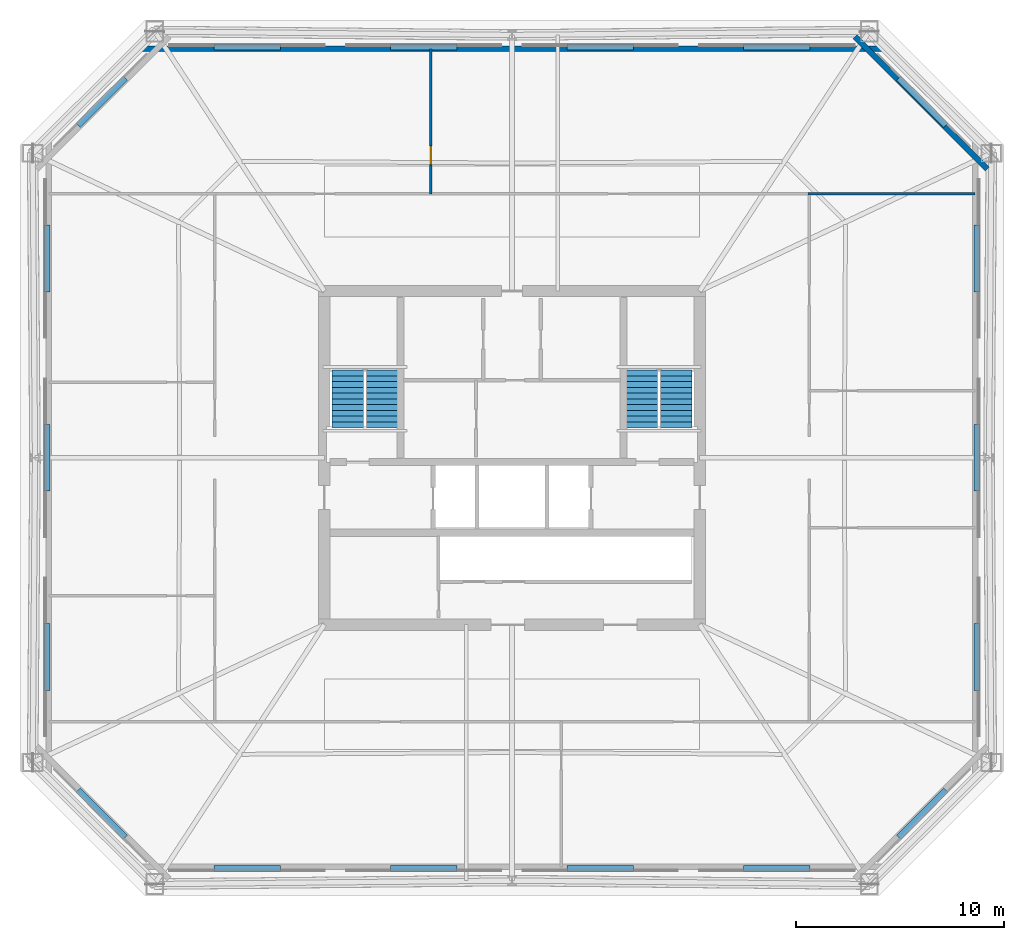
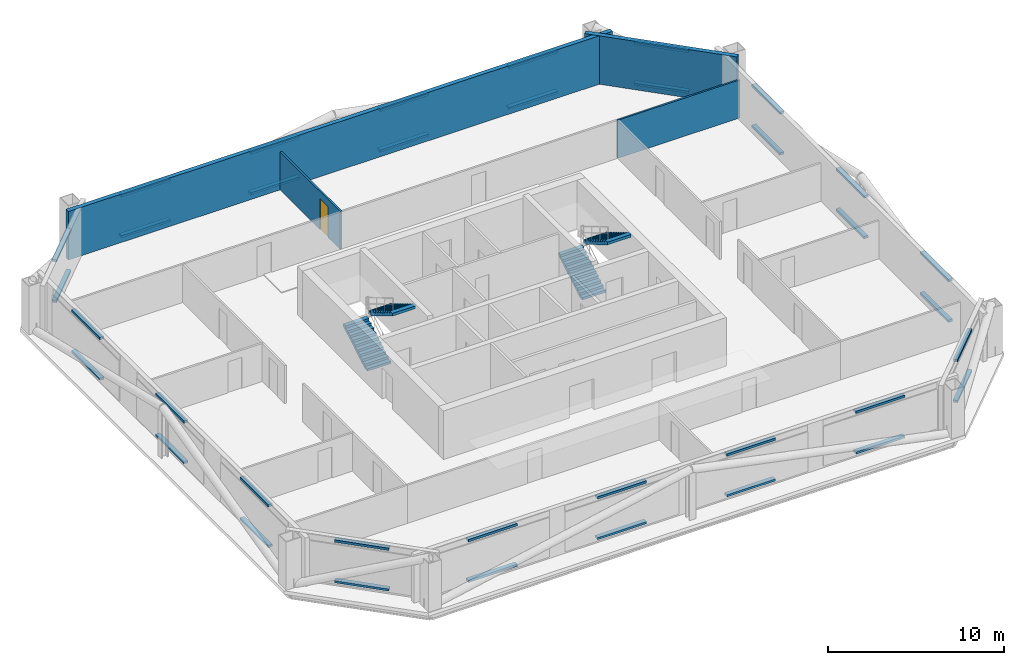
# One storey, part 4 of 6: 36 discrete accessories, 4 stair flights, 4 walls, 1 door, 1 opening, 2 elements without a shape of their own.
"""IFC4 building model written with IfcOpenShell, lengths in metres."""

import ifcopenshell
import ifcopenshell.guid

model = None  # the IFC model being written
_history = None  # IfcOwnerHistory: only IFC2X3 demands one
_inside = {}  # id of a spatial element -> (the spatial element, [elements in it])
_under = {}  # id of a project, library or spatial element -> (it, [spatial elements below it])
_declared = {}  # id of a project -> (the project, [libraries it declares])
_typed = {}  # id of a type object -> (the type object, [elements of that type])
_made_of = {}  # id of a material, layer set ... -> (it, [elements and type objects made of it])


def new_model(schema):
    """Start an empty IFC model of exactly this schema.

    Asked for "IFC4X3", IfcOpenShell would pick the latest addendum, in which some entities
    have other attributes; the version numbers below select the first issue.
    IFC2X3 requires an IfcOwnerHistory on every rooted entity: one is made here for all.
    """
    global model, _history
    if schema == "IFC4X3":
        model = ifcopenshell.file(schema_version=(4, 3, 0, 0))
    else:
        model = ifcopenshell.file(schema=schema)
    _inside.clear()
    _under.clear()
    _declared.clear()
    _typed.clear()
    _made_of.clear()
    _history = None
    if model.schema == "IFC2X3":
        org = make("IfcOrganization", Name="unknown")
        user = make(
            "IfcPersonAndOrganization",
            ThePerson=make("IfcPerson", FamilyName="unknown"),
            TheOrganization=org,
        )
        app = make(
            "IfcApplication",
            ApplicationDeveloper=org,
            Version="unknown",
            ApplicationFullName="unknown",
            ApplicationIdentifier="unknown",
        )
        _history = make(
            "IfcOwnerHistory",
            OwningUser=user,
            OwningApplication=app,
            ChangeAction="ADDED",
            CreationDate=0,
        )
    return model


def make(cls, **values):
    """One entity of the class cls with the attributes given. An attribute that is None is left unset."""
    return model.create_entity(
        cls, **{name: value for name, value in values.items() if value is not None}
    )


def rooted(cls, **values):
    """An entity with a GlobalId (a new one), such as an element, a storey or a relation."""
    return make(cls, GlobalId=ifcopenshell.guid.new(), OwnerHistory=_history, **values)


def si_unit(unit_type, name, prefix=None):
    """IfcSIUnit, for example si_unit("LENGTHUNIT", "METRE", prefix="MILLI")."""
    return make("IfcSIUnit", UnitType=unit_type, Prefix=prefix, Name=name)


def assignment(units):
    """IfcUnitAssignment: the units of a project."""
    return None if units is None else make("IfcUnitAssignment", Units=units)


def point(xyz):
    """IfcCartesianPoint."""
    return None if xyz is None else make("IfcCartesianPoint", Coordinates=xyz)


def direction(xyz):
    """IfcDirection."""
    return None if xyz is None else make("IfcDirection", DirectionRatios=xyz)


def frame(location, z_axis=None, x_axis=None):
    """IfcAxis2Placement3D, a coordinate frame: its origin and axes. An axis left out is left unset."""
    return make(
        "IfcAxis2Placement3D",
        Location=point(location),
        Axis=direction(z_axis),
        RefDirection=direction(x_axis),
    )


def frame_2d(location, x_axis=None):
    """IfcAxis2Placement2D, a coordinate frame in the plane: its origin and x axis."""
    return make(
        "IfcAxis2Placement2D", Location=point(location), RefDirection=direction(x_axis)
    )


def origin():
    """The frame at (0, 0, 0) with its axes left unset."""
    return frame((0.0, 0.0, 0.0))


def origin_2d():
    """The frame at (0, 0) in the plane with its x axis left unset."""
    return frame_2d((0.0, 0.0))


def place(relative_to, where):
    """IfcLocalPlacement: puts the frame where relative to a parent placement (None: the world)."""
    return make(
        "IfcLocalPlacement", PlacementRelTo=relative_to, RelativePlacement=where
    )


def context(
    kind, dimensions, precision=None, world=None, true_north=None, identifier=None
):
    """IfcGeometricRepresentationContext, for example the 3D "Model" context."""
    return make(
        "IfcGeometricRepresentationContext",
        ContextIdentifier=identifier,
        ContextType=kind,
        CoordinateSpaceDimension=dimensions,
        Precision=precision,
        WorldCoordinateSystem=world,
        TrueNorth=true_north,
    )


def subcontext(parent, identifier, kind, view, scale=None):
    """IfcGeometricRepresentationSubContext, for example "Body" below "Model"."""
    return make(
        "IfcGeometricRepresentationSubContext",
        ContextIdentifier=identifier,
        ContextType=kind,
        ParentContext=parent,
        TargetScale=scale,
        TargetView=view,
    )


def project(units=None, contexts=None):
    """IfcProject with its units and contexts."""
    return rooted(
        "IfcProject",
        Name="project",
        RepresentationContexts=contexts,
        UnitsInContext=assignment(units),
    )


def spatial(cls, under=None, at=None, **own):
    """A site, building, storey or space (cls), placed at a placement, below another one or the project."""
    s = rooted(cls, ObjectPlacement=at, **own)
    if under is not None:
        _under.setdefault(under.id(), (under, []))[1].append(s)
    return s


def polyline(points):
    """IfcPolyline through the points."""
    return make("IfcPolyline", Points=[point(p) for p in points])


def profile(cls, at=None, kind="AREA", **sizes):
    """A parametric profile (cls). Its sizes go by their IFC names, for example OverallWidth=200.0."""
    return make(cls, ProfileType=kind, Position=at, **sizes)


def rectangle(**sizes):
    """IfcRectangleProfileDef."""
    return profile("IfcRectangleProfileDef", **sizes)


def outline(outer, holes=None, kind="AREA"):
    """IfcArbitraryClosedProfileDef: a profile drawn as a closed curve; with holes, ...WithVoids."""
    if holes is None:
        return make("IfcArbitraryClosedProfileDef", ProfileType=kind, OuterCurve=outer)
    return make(
        "IfcArbitraryProfileDefWithVoids",
        ProfileType=kind,
        OuterCurve=outer,
        InnerCurves=holes,
    )


def extrude(swept, where, along, depth):
    """IfcExtrudedAreaSolid: the profile swept, set in the frame where, extruded along a direction by depth."""
    return make(
        "IfcExtrudedAreaSolid",
        SweptArea=swept,
        Position=where,
        ExtrudedDirection=direction(along),
        Depth=depth,
    )


def shape(context_of_items, identifier, shape_type, items):
    """IfcShapeRepresentation: the items that make up one representation, for example the "Body"."""
    return make(
        "IfcShapeRepresentation",
        ContextOfItems=context_of_items,
        RepresentationIdentifier=identifier,
        RepresentationType=shape_type,
        Items=items,
    )


def material(Name=None, Category=None):
    """IfcMaterial."""
    return make("IfcMaterial", Name=Name, Category=Category)


def layer(
    of_material, thickness, ventilated=None, Name=None, Category=None, Priority=None
):
    """IfcMaterialLayer: one layer of a wall or slab, of a material (None: an air gap)."""
    return make(
        "IfcMaterialLayer",
        Material=of_material,
        LayerThickness=thickness,
        IsVentilated=ventilated,
        Name=Name,
        Category=Category,
        Priority=Priority,
    )


def layer_set(layers, Name=None):
    """IfcMaterialLayerSet."""
    return make("IfcMaterialLayerSet", MaterialLayers=layers, LayerSetName=Name)


def made_of(thing, what):
    """Note that an element or type object is made of a material, layer set ...; save() writes the relation."""
    if what is not None:
        _made_of.setdefault(what.id(), (what, []))[1].append(thing)
    return thing


def type_object(cls, material=None, **own):
    """A type object (cls), such as IfcWallType, which elements share."""
    return made_of(rooted(cls, **own), material)


def element(
    cls,
    number,
    at=None,
    inside=None,
    cuts=None,
    type_object=None,
    material=None,
    context=None,
    identifier="Body",
    shape_type=None,
    held_by="IfcProductDefinitionShape",
    body=None,
    shapes=None,
    **own,
):
    """One element of the class cls, such as IfcWall. Its Tag is "e" and its number.

    at: its placement. inside: the storey or other place that contains it. cuts: it is an
    opening in that element (IfcRelVoidsElement). A single representation is given by context,
    identifier, shape_type and body (its items); several are given by shapes. held_by: the class
    of the entity that holds the representations. save() writes the other relations.
    """
    e = rooted(cls, Tag="e%d" % number, ObjectPlacement=at, **own)
    if body is not None:
        shapes = [shape(context, identifier, shape_type, body)]
    if shapes is not None:
        e.Representation = make(held_by, Representations=shapes)
    if inside is not None:
        _inside.setdefault(inside.id(), (inside, []))[1].append(e)
    if cuts is not None:
        rooted(
            "IfcRelVoidsElement", RelatingBuildingElement=cuts, RelatedOpeningElement=e
        )
    if type_object is not None:
        _typed.setdefault(type_object.id(), (type_object, []))[1].append(e)
    return made_of(e, material)


def fill(opening, filler):
    """IfcRelFillsElement: the door or window that sits in an opening."""
    return rooted(
        "IfcRelFillsElement",
        RelatingOpeningElement=opening,
        RelatedBuildingElement=filler,
    )


def aggregate(whole, parts):
    """IfcRelAggregates: a whole, such as a stair, and the parts it consists of."""
    return rooted("IfcRelAggregates", RelatingObject=whole, RelatedObjects=parts)


def save(model, path):
    """Write the relations noted so far, then the file.

    IfcRelAggregates (storeys below a building ...), IfcRelContainedInSpatialStructure (elements
    in a storey), IfcRelDefinesByType, IfcRelAssociatesMaterial and IfcRelDeclares: one each for
    every whole, place, type object, material and project.
    """
    for whole, parts in _under.values():
        aggregate(whole, parts)
    for where, things in _inside.values():
        rooted(
            "IfcRelContainedInSpatialStructure",
            RelatedElements=things,
            RelatingStructure=where,
        )
    for kind, things in _typed.values():
        rooted("IfcRelDefinesByType", RelatedObjects=things, RelatingType=kind)
    for what, things in _made_of.values():
        rooted("IfcRelAssociatesMaterial", RelatedObjects=things, RelatingMaterial=what)
    for by, libraries in _declared.values():
        rooted("IfcRelDeclares", RelatingContext=by, RelatedDefinitions=libraries)
    model.write(path)


model = new_model("IFC4")

# Units and contexts
model_context = context("Model", 3, precision=1e-05, world=origin(), true_north=direction((0.0, 1.0)))
body_context = subcontext(model_context, "Body", "Model", "MODEL_VIEW")
ifc_project = project(units=[si_unit("LENGTHUNIT", "METRE"), si_unit("AREAUNIT", "SQUARE_METRE"), si_unit("VOLUMEUNIT", "CUBIC_METRE"), si_unit("PLANEANGLEUNIT", "RADIAN"), si_unit("MASSUNIT", "GRAM", prefix="KILO")], contexts=[model_context])

# Site, building, storey
site_placement = place(None, origin())
site = spatial("IfcSite", under=ifc_project, at=site_placement, CompositionType="ELEMENT")
building_placement = place(site_placement, origin())
building = spatial("IfcBuilding", under=site, at=building_placement, Name="Caelvoria Tower", CompositionType="ELEMENT")
storey_placement = place(building_placement, frame((0.0, 0.0, 116.800048828125)))
storey = spatial("IfcBuildingStorey", under=building, at=storey_placement, Name="L30", CompositionType="ELEMENT", Elevation=116.800048828125)

# Walls
ifc_material_1 = material(Name="Precast Concrete C40/50 with Bronze Cladding", Category="concrete")
ifc_layer_1 = layer(ifc_material_1, 0.280029296875, Name="Precast Concrete C40/50 with Bronze Cladding")
ifc_layer_set_1 = layer_set([ifc_layer_1], Name="Exterior Precast Concrete C40/50 Bronze-Clad Facade Wall 280 - Precast Concrete C40/50 with Bronze Cladding")
wall_type_1 = type_object("IfcWallType", Name="Exterior Precast Concrete C40/50 Bronze-Clad Facade Wall 280", PredefinedType="STANDARD", material=ifc_layer_set_1)
wall_1_placement = place(storey_placement, frame((68.7939453125, 45.8544921875, 0.0), z_axis=(0.0, 0.0, 1.0), x_axis=(-0.707106781187, 0.707106781187, 0.0)))
element("IfcWall", 1, at=wall_1_placement, inside=storey, type_object=wall_type_1, Name="Exterior Facade Wall L30-E3", PredefinedType="STANDARD", context=body_context, shape_type="SweptSolid", body=[
    extrude(rectangle(XDim=8.965087890625, YDim=0.280029296875, at=frame_2d((4.482421875, 0.0))), origin(), (0.0, 0.0, 1.0), 3.35986328125),
])
wall_2_placement = place(storey_placement, frame((63.840087890625, 51.6201171875, 0.0), z_axis=(0.0, 0.0, 1.0), x_axis=(-1.0, 0.0, 0.0)))
element("IfcWall", 2, at=wall_2_placement, inside=storey, type_object=wall_type_1, Name="Exterior Facade Wall L30-E4", PredefinedType="STANDARD", context=body_context, shape_type="SweptSolid", body=[
    extrude(rectangle(XDim=35.68017578125, YDim=0.280029296875, at=frame_2d((17.840087890625, 0.0))), origin(), (0.0, 0.0, 1.0), 3.35986328125),
])

# Wall, opening, door
ifc_material_2 = material(Name="Acoustic Gypsum Board on Light-Gauge Stud", Category="gypsum")
ifc_layer_2 = layer(ifc_material_2, 0.1201171875, Name="Acoustic Gypsum Board on Light-Gauge Stud")
ifc_layer_set_2 = layer_set([ifc_layer_2], Name="Tenant Suite Acoustic Partition Wall 120 - Acoustic Gypsum Board on Light-Gauge Stud")
wall_type_2 = type_object("IfcWallType", Name="Tenant Suite Acoustic Partition Wall 120", PredefinedType="PARTITIONING", material=ifc_layer_set_2)
wall_3_placement = place(storey_placement, frame((42.103515625, 44.659912109375, 0.0), z_axis=(0.0, 0.0, 1.0), x_axis=(0.0, 1.0, 0.0)))
wall_3 = element("IfcWall", 3, at=wall_3_placement, inside=storey, type_object=wall_type_2, Name="Interior Partition IW-L30-ND-00-0", PredefinedType="PARTITIONING", context=body_context, shape_type="SweptSolid", body=[
    extrude(rectangle(XDim=6.960205078125, YDim=0.1201171875, at=frame_2d((3.47998046875, 0.0))), origin(), (0.0, 0.0, 1.0), 2.639892578125),
])
opening_placement = place(wall_3_placement, frame((1.39990234375, 0.0, 0.0)))
opening = element("IfcOpeningElement", 4, at=opening_placement, cuts=wall_3, Name="Opening ID-06", PredefinedType="OPENING", context=body_context, shape_type="SweptSolid", body=[
    extrude(rectangle(XDim=0.89990234375, YDim=2.14990234375, at=frame_2d((0.449951171875, 1.074951171875))), frame((0.0, 0.070068359375, 0.0), z_axis=(0.0, -1.0, 0.0), x_axis=(1.0, 0.0, 0.0)), (0.0, 0.0, 1.0), 0.14013671875),
])
ifc_material_3 = material(Name="Engineered Andean Oak Veneer Door", Category="wood")
door_type = type_object("IfcDoorType", Name="Interior Timber Door 900x2150", OperationType="NOTDEFINED", PredefinedType="DOOR", material=ifc_material_3)
door_placement = place(opening_placement, origin())
door = element("IfcDoor", 5, at=door_placement, inside=storey, type_object=door_type, Name="Interior Door DR-L30-NM-00-0", OperationType="SINGLE_SWING_RIGHT", OverallHeight=2.14990234375, OverallWidth=0.89990234375, PredefinedType="DOOR", context=body_context, shape_type="SweptSolid", body=[
    extrude(rectangle(XDim=0.89990234375, YDim=2.14990234375, at=frame_2d((0.449951171875, 1.074951171875))), frame((0.0, 0.02490234375, 0.0), z_axis=(0.0, -1.0, 0.0), x_axis=(1.0, 0.0, 0.0)), (0.0, 0.0, 1.0), 0.050048828125),
])
fill(opening, door)

# Wall
wall_4_placement = place(storey_placement, frame((60.199951171875, 44.659912109375, 0.0), z_axis=(0.0, 0.0, 1.0), x_axis=(1.0, 0.0, 0.0)))
element("IfcWall", 6, at=wall_4_placement, inside=storey, type_object=wall_type_2, Name="Interior Partition IW-L30-BNE-0", PredefinedType="PARTITIONING", context=body_context, shape_type="SweptSolid", body=[
    extrude(rectangle(XDim=8.02001953125, YDim=0.1201171875, at=frame_2d((4.010009765625, 0.0))), origin(), (0.0, 0.0, 1.0), 2.639892578125),
])

# Stair, stair flights
ifc_material_4 = material(Name="Concrete C40/50", Category="concrete")
stair_type = type_object("IfcStairType", Name="Core Smokeproof Dogleg Stair Concrete C40/50", PredefinedType="HALF_TURN_STAIR", material=ifc_material_4)
stair_1_placement = place(storey_placement, origin())
stair_1 = element("IfcStair", 7, at=stair_1_placement, inside=storey, type_object=stair_type, Name="ST-01 Smokeproof Exit Stair L30", PredefinedType="HALF_TURN_STAIR")
ifc_material_5 = material(Name="Precast Concrete C40/50", Category="concrete")
stair_flight_type = type_object("IfcStairFlightType", Name="Precast Concrete C40/50 Stair Flight 1480", PredefinedType="STRAIGHT", material=ifc_material_5)
stair_flight_1_placement = place(storey_placement, frame((38.1298828125, 33.449951171875, 0.0), z_axis=(0.0, 0.0, 1.0), x_axis=(0.0, 1.0, 0.0)))
stair_flight_1 = element("IfcStairFlight", 8, at=stair_flight_1_placement, type_object=stair_flight_type, Name="ST-01 flight 1", NumberOfRisers=11, NumberOfTreads=10, PredefinedType="STRAIGHT", RiserHeight=0.1636, TreadLength=0.275, context=body_context, shape_type="SweptSolid", body=[
    extrude(outline(polyline([(0.0, 0.0), (0.0, 0.16357421875), (0.27490234375, 0.16357421875), (0.27490234375, 0.3271484375), (0.550048828125, 0.3271484375), (0.550048828125, 0.49072265625), (0.824951171875, 0.49072265625), (0.824951171875, 0.654296875), (1.10009765625, 0.654296875), (1.10009765625, 0.818115234375), (1.375, 0.818115234375), (1.375, 0.981689453125), (1.64990234375, 0.981689453125), (1.64990234375, 1.145263671875), (1.925048828125, 1.145263671875), (1.925048828125, 1.308837890625), (2.199951171875, 1.308837890625), (2.199951171875, 1.472412109375), (2.47509765625, 1.472412109375), (2.47509765625, 1.635986328125), (2.75, 1.635986328125), (2.75, 1.799560546875), (2.75, 1.449951171875), (0.312744140625, 0.0), (0.0, 0.0)])), frame((0.0, 0.77001953125, 0.0), z_axis=(0.0, -1.0, 0.0), x_axis=(1.0, 0.0, 0.0)), (0.0, 0.0, 1.0), 1.5400390625),
])
stair_flight_2_placement = place(storey_placement, frame((39.77001953125, 36.199951171875, 1.800048828125), z_axis=(0.0, 0.0, 1.0), x_axis=(0.0, -1.0, 0.0)))
stair_flight_2 = element("IfcStairFlight", 9, at=stair_flight_2_placement, type_object=stair_flight_type, Name="ST-01 flight 2", NumberOfRisers=11, NumberOfTreads=10, PredefinedType="STRAIGHT", RiserHeight=0.1636, TreadLength=0.275, context=body_context, shape_type="SweptSolid", body=[
    extrude(outline(polyline([(0.0, 0.0), (0.0, 0.16357421875), (0.27490234375, 0.16357421875), (0.27490234375, 0.3271484375), (0.550048828125, 0.3271484375), (0.550048828125, 0.49072265625), (0.824951171875, 0.49072265625), (0.824951171875, 0.654296875), (1.10009765625, 0.654296875), (1.10009765625, 0.818115234375), (1.375, 0.818115234375), (1.375, 0.981689453125), (1.64990234375, 0.981689453125), (1.64990234375, 1.145263671875), (1.925048828125, 1.145263671875), (1.925048828125, 1.308837890625), (2.199951171875, 1.308837890625), (2.199951171875, 1.472412109375), (2.47509765625, 1.472412109375), (2.47509765625, 1.635986328125), (2.75, 1.635986328125), (2.75, 1.799560546875), (2.75, 1.449951171875), (0.312744140625, 0.0), (0.0, 0.0)])), frame((0.0, 0.77001953125, 0.0), z_axis=(0.0, -1.0, 0.0), x_axis=(1.0, 0.0, 0.0)), (0.0, 0.0, 1.0), 1.5400390625),
])
aggregate(stair_1, [stair_flight_1, stair_flight_2])

stair_2_placement = place(storey_placement, origin())
stair_2 = element("IfcStair", 10, at=stair_2_placement, inside=storey, type_object=stair_type, Name="ST-02 Smokeproof Exit Stair L30", PredefinedType="HALF_TURN_STAIR")
stair_flight_3_placement = place(storey_placement, frame((52.22998046875, 33.449951171875, 0.0), z_axis=(0.0, 0.0, 1.0), x_axis=(0.0, 1.0, 0.0)))
stair_flight_3 = element("IfcStairFlight", 11, at=stair_flight_3_placement, type_object=stair_flight_type, Name="ST-02 flight 1", NumberOfRisers=11, NumberOfTreads=10, PredefinedType="STRAIGHT", RiserHeight=0.1636, TreadLength=0.275, context=body_context, shape_type="SweptSolid", body=[
    extrude(outline(polyline([(0.0, 0.0), (0.0, 0.16357421875), (0.27490234375, 0.16357421875), (0.27490234375, 0.3271484375), (0.550048828125, 0.3271484375), (0.550048828125, 0.49072265625), (0.824951171875, 0.49072265625), (0.824951171875, 0.654296875), (1.10009765625, 0.654296875), (1.10009765625, 0.818115234375), (1.375, 0.818115234375), (1.375, 0.981689453125), (1.64990234375, 0.981689453125), (1.64990234375, 1.145263671875), (1.925048828125, 1.145263671875), (1.925048828125, 1.308837890625), (2.199951171875, 1.308837890625), (2.199951171875, 1.472412109375), (2.47509765625, 1.472412109375), (2.47509765625, 1.635986328125), (2.75, 1.635986328125), (2.75, 1.799560546875), (2.75, 1.449951171875), (0.312744140625, 0.0), (0.0, 0.0)])), frame((0.0, 0.77001953125, 0.0), z_axis=(0.0, -1.0, 0.0), x_axis=(1.0, 0.0, 0.0)), (0.0, 0.0, 1.0), 1.5400390625),
])
stair_flight_4_placement = place(storey_placement, frame((53.8701171875, 36.199951171875, 1.800048828125), z_axis=(0.0, 0.0, 1.0), x_axis=(0.0, -1.0, 0.0)))
stair_flight_4 = element("IfcStairFlight", 12, at=stair_flight_4_placement, type_object=stair_flight_type, Name="ST-02 flight 2", NumberOfRisers=11, NumberOfTreads=10, PredefinedType="STRAIGHT", RiserHeight=0.1636, TreadLength=0.275, context=body_context, shape_type="SweptSolid", body=[
    extrude(outline(polyline([(0.0, 0.0), (0.0, 0.16357421875), (0.27490234375, 0.16357421875), (0.27490234375, 0.3271484375), (0.550048828125, 0.3271484375), (0.550048828125, 0.49072265625), (0.824951171875, 0.49072265625), (0.824951171875, 0.654296875), (1.10009765625, 0.654296875), (1.10009765625, 0.818115234375), (1.375, 0.818115234375), (1.375, 0.981689453125), (1.64990234375, 0.981689453125), (1.64990234375, 1.145263671875), (1.925048828125, 1.145263671875), (1.925048828125, 1.308837890625), (2.199951171875, 1.308837890625), (2.199951171875, 1.472412109375), (2.47509765625, 1.472412109375), (2.47509765625, 1.635986328125), (2.75, 1.635986328125), (2.75, 1.799560546875), (2.75, 1.449951171875), (0.312744140625, 0.0), (0.0, 0.0)])), frame((0.0, 0.77001953125, 0.0), z_axis=(0.0, -1.0, 0.0), x_axis=(1.0, 0.0, 0.0)), (0.0, 0.0, 1.0), 1.5400390625),
])
aggregate(stair_2, [stair_flight_3, stair_flight_4])

# Discrete accessories
ifc_material_6 = material(Name="Anodised Bronze Stainless Bracket", Category="bronze")
discrete_accessory_type = type_object("IfcDiscreteAccessoryType", Name="Solar Screen Outrigger Support Bracket", PredefinedType="BRACKET", material=ifc_material_6)
for number, where, z_axis, x_axis, name in (
    (13, (33.294921875, 12.302978515625, 0.240234375), (0.0, 0.0, 1.0), (1.0, 0.0, 0.0), "Solar Screen Bracket L30-E0-00"),
    (14, (33.294921875, 12.302978515625, 3.06005859375), (0.0, 0.0, 1.0), (1.0, 0.0, 0.0), "Upper Screen Band Bracket L30-E0-00"),
    (15, (41.764892578125, 12.302978515625, 0.240234375), (0.0, 0.0, 1.0), (1.0, 0.0, 0.0), "Solar Screen Bracket L30-E0-01"),
    (16, (41.764892578125, 12.302978515625, 3.06005859375), (0.0, 0.0, 1.0), (1.0, 0.0, 0.0), "Upper Screen Band Bracket L30-E0-01"),
    (17, (50.235107421875, 12.302978515625, 0.240234375), (0.0, 0.0, 1.0), (1.0, 0.0, 0.0), "Solar Screen Bracket L30-E0-02"),
    (18, (50.235107421875, 12.302978515625, 3.06005859375), (0.0, 0.0, 1.0), (1.0, 0.0, 0.0), "Upper Screen Band Bracket L30-E0-02"),
    (19, (58.705078125, 12.302978515625, 0.240234375), (0.0, 0.0, 1.0), (1.0, 0.0, 0.0), "Solar Screen Bracket L30-E0-03"),
    (20, (58.705078125, 12.302978515625, 3.06005859375), (0.0, 0.0, 1.0), (1.0, 0.0, 0.0), "Upper Screen Band Bracket L30-E0-03"),
    (21, (65.6787109375, 14.92138671875, 0.240234375), (0.0, 0.0, 1.0), (0.707106781187, 0.707106781187, 0.0), "Solar Screen Bracket L30-E1-00"),
    (22, (65.6787109375, 14.92138671875, 3.06005859375), (0.0, 0.0, 1.0), (0.707106781187, 0.707106781187, 0.0), "Upper Screen Band Bracket L30-E1-00"),
    (23, (68.297119140625, 22.43994140625, 0.240234375), (0.0, 0.0, 1.0), (0.0, 1.0, 0.0), "Solar Screen Bracket L30-E2-00"),
    (24, (68.297119140625, 22.43994140625, 3.06005859375), (0.0, 0.0, 1.0), (0.0, 1.0, 0.0), "Upper Screen Band Bracket L30-E2-00"),
    (25, (68.297119140625, 32.0, 0.240234375), (0.0, 0.0, 1.0), (0.0, 1.0, 0.0), "Solar Screen Bracket L30-E2-01"),
    (26, (68.297119140625, 32.0, 3.06005859375), (0.0, 0.0, 1.0), (0.0, 1.0, 0.0), "Upper Screen Band Bracket L30-E2-01"),
    (27, (68.297119140625, 41.56005859375, 0.240234375), (0.0, 0.0, 1.0), (0.0, 1.0, 0.0), "Solar Screen Bracket L30-E2-02"),
    (28, (68.297119140625, 41.56005859375, 3.06005859375), (0.0, 0.0, 1.0), (0.0, 1.0, 0.0), "Upper Screen Band Bracket L30-E2-02"),
    (29, (65.6787109375, 49.07861328125, 0.240234375), (0.0, 0.0, 1.0), (-0.707106781187, 0.707106781187, 0.0), "Solar Screen Bracket L30-E3-00"),
    (30, (65.6787109375, 49.07861328125, 3.06005859375), (0.0, 0.0, 1.0), (-0.707106781187, 0.707106781187, 0.0), "Upper Screen Band Bracket L30-E3-00"),
    (31, (58.705078125, 51.697021484375, 0.240234375), (0.0, 0.0, 1.0), (-1.0, 0.0, 0.0), "Solar Screen Bracket L30-E4-00"),
    (32, (58.705078125, 51.697021484375, 3.06005859375), (0.0, 0.0, 1.0), (-1.0, 0.0, 0.0), "Upper Screen Band Bracket L30-E4-00"),
    (33, (50.235107421875, 51.697021484375, 0.240234375), (0.0, 0.0, 1.0), (-1.0, 0.0, 0.0), "Solar Screen Bracket L30-E4-01"),
    (34, (50.235107421875, 51.697021484375, 3.06005859375), (0.0, 0.0, 1.0), (-1.0, 0.0, 0.0), "Upper Screen Band Bracket L30-E4-01"),
    (35, (41.764892578125, 51.697021484375, 0.240234375), (0.0, 0.0, 1.0), (-1.0, 0.0, 0.0), "Solar Screen Bracket L30-E4-02"),
    (36, (41.764892578125, 51.697021484375, 3.06005859375), (0.0, 0.0, 1.0), (-1.0, 0.0, 0.0), "Upper Screen Band Bracket L30-E4-02"),
    (37, (33.294921875, 51.697021484375, 0.240234375), (0.0, 0.0, 1.0), (-1.0, 0.0, 0.0), "Solar Screen Bracket L30-E4-03"),
    (38, (33.294921875, 51.697021484375, 3.06005859375), (0.0, 0.0, 1.0), (-1.0, 0.0, 0.0), "Upper Screen Band Bracket L30-E4-03"),
    (39, (26.3212890625, 49.07861328125, 0.240234375), (0.0, 0.0, 1.0), (-0.707106781187, -0.707106781187, 0.0), "Solar Screen Bracket L30-E5-00"),
    (40, (26.3212890625, 49.07861328125, 3.06005859375), (0.0, 0.0, 1.0), (-0.707106781187, -0.707106781187, 0.0), "Upper Screen Band Bracket L30-E5-00"),
    (41, (23.702880859375, 41.56005859375, 0.240234375), (0.0, 0.0, 1.0), (0.0, -1.0, 0.0), "Solar Screen Bracket L30-E6-00"),
    (42, (23.702880859375, 41.56005859375, 3.06005859375), (0.0, 0.0, 1.0), (0.0, -1.0, 0.0), "Upper Screen Band Bracket L30-E6-00"),
    (43, (23.702880859375, 32.0, 0.240234375), (0.0, 0.0, 1.0), (0.0, -1.0, 0.0), "Solar Screen Bracket L30-E6-01"),
    (44, (23.702880859375, 32.0, 3.06005859375), (0.0, 0.0, 1.0), (0.0, -1.0, 0.0), "Upper Screen Band Bracket L30-E6-01"),
    (45, (23.702880859375, 22.43994140625, 0.240234375), (0.0, 0.0, 1.0), (0.0, -1.0, 0.0), "Solar Screen Bracket L30-E6-02"),
    (46, (23.702880859375, 22.43994140625, 3.06005859375), (0.0, 0.0, 1.0), (0.0, -1.0, 0.0), "Upper Screen Band Bracket L30-E6-02"),
    (47, (26.3212890625, 14.92138671875, 0.240234375), (0.0, 0.0, 1.0), (0.707106781187, -0.707106781187, 0.0), "Solar Screen Bracket L30-E7-00"),
    (48, (26.3212890625, 14.92138671875, 3.06005859375), (0.0, 0.0, 1.0), (0.707106781187, -0.707106781187, 0.0), "Upper Screen Band Bracket L30-E7-00"),
):
    element("IfcDiscreteAccessory", number, at=place(storey_placement, frame(where, z_axis=z_axis, x_axis=x_axis)), inside=storey, type_object=discrete_accessory_type, Name=name, PredefinedType="BRACKET", context=body_context, shape_type="SweptSolid", body=[
        extrude(rectangle(XDim=3.199951171875, YDim=0.280029296875, at=origin_2d()), origin(), (0.0, 0.0, 1.0), 0.159912109375),
    ])

save(model, "model.ifc")
